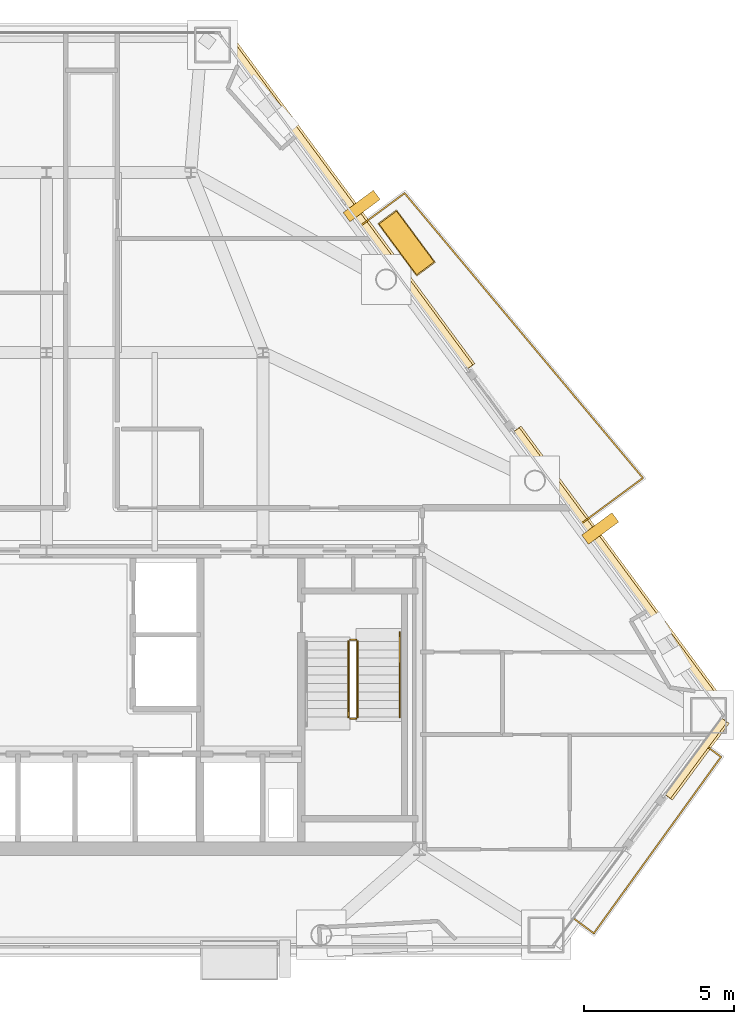
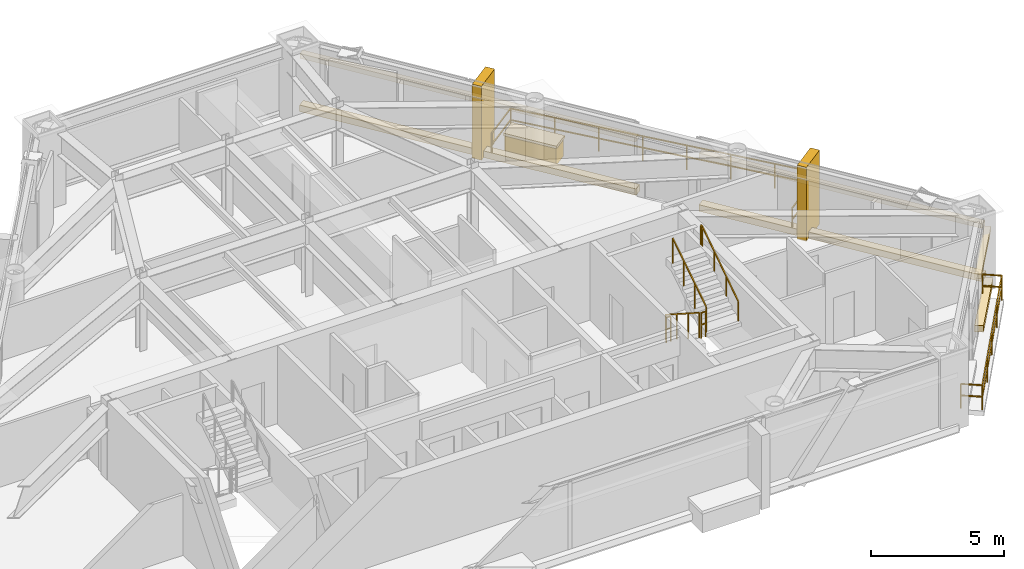
# One storey, part 11 of 11: 10 coverings, 7 railings.
"""IFC4 building model written with IfcOpenShell, lengths in metres."""

from ifc_helpers import new_model, si_unit, direction, frame, origin, origin_2d, place, context, subcontext, project, spatial, rectangle, extrude, material, layer, layer_set, type_object, element, save


model = new_model("IFC4")

# Units and contexts
model_context = context("Model", 3, precision=1e-05, world=origin(), true_north=direction((0.0, 1.0)))
body_context = subcontext(model_context, "Body", "Model", "MODEL_VIEW")
ifc_project = project(units=[si_unit("LENGTHUNIT", "METRE"), si_unit("AREAUNIT", "SQUARE_METRE"), si_unit("VOLUMEUNIT", "CUBIC_METRE"), si_unit("PLANEANGLEUNIT", "RADIAN"), si_unit("MASSUNIT", "GRAM", prefix="KILO")], contexts=[model_context])

# Site, building, storey
site_placement = place(None, origin())
site = spatial("IfcSite", under=ifc_project, at=site_placement, CompositionType="ELEMENT")
building_placement = place(site_placement, origin())
building = spatial("IfcBuilding", under=site, at=building_placement, Name="Talgorran Terracotta Tower", CompositionType="ELEMENT")
storey_placement = place(building_placement, frame((0.0, 0.0, 125.699951171875)))
storey = spatial("IfcBuildingStorey", under=building, at=storey_placement, Name="L32", CompositionType="ELEMENT", Elevation=125.699951171875)

# Coverings
ifc_material_1 = material(Name="Kiln-Fired Terracotta Ochre Ceramic", Category="masonry")
ifc_layer_1 = layer(ifc_material_1, 0.179931640625, Name="COV_BAGUETTE_TERRACOTTA_SCREEN")
ifc_layer_set_1 = layer_set([ifc_layer_1], Name="Kiln-Fired Terracotta Ochre Ceramic")
covering_type_1 = type_object("IfcCoveringType", Name="COV_BAGUETTE_TERRACOTTA_SCREEN", PredefinedType="CLADDING", material=ifc_layer_set_1)
covering_1_placement = place(storey_placement, frame((21.591796875, -11.07958984375, 2.41015625), z_axis=(0.0, 0.0, 1.0), x_axis=(0.594654414319, 0.803981422379, 0.0)))
element("IfcCovering", 1, at=covering_1_placement, inside=storey, type_object=covering_type_1, Name="L32 Terracotta Baguette Solar Screen Assembly F31", PredefinedType="CLADDING", context=body_context, shape_type="SweptSolid", body=[
    extrude(rectangle(XDim=3.15869140625, YDim=0.260009765625, at=origin_2d()), origin(), (0.0, 0.0, 1.0), 0.219970703125),
])
covering_2_placement = place(storey_placement, frame((19.075927734375, -4.842529296875, 2.41015625), z_axis=(0.0, 0.0, 1.0), x_axis=(-0.594640382106, 0.803991800934, 0.0)))
element("IfcCovering", 2, at=covering_2_placement, inside=storey, type_object=covering_type_1, Name="L32 Terracotta Baguette Solar Screen Assembly F40", PredefinedType="CLADDING", context=body_context, shape_type="SweptSolid", body=[
    extrude(rectangle(XDim=11.62060546875, YDim=0.260009765625, at=origin_2d()), origin(), (0.0, 0.0, 1.0), 0.219970703125),
])
covering_3_placement = place(storey_placement, frame((9.972412109375, 7.466064453125, 2.41015625), z_axis=(0.0, 0.0, 1.0), x_axis=(-0.594640382106, 0.803991800934, 0.0)))
element("IfcCovering", 3, at=covering_3_placement, inside=storey, type_object=covering_type_1, Name="L32 Terracotta Baguette Solar Screen Assembly F41", PredefinedType="CLADDING", context=body_context, shape_type="SweptSolid", body=[
    extrude(rectangle(XDim=13.798095703125, YDim=0.260009765625, at=origin_2d()), origin(), (0.0, 0.0, 1.0), 0.219970703125),
])
ifc_material_2 = material(Name="Honed Limestone and Terracotta Planter", Category="masonry")
ifc_layer_2 = layer(ifc_material_2, 0.1201171875, Name="COV_PLANTER_BOX")
ifc_layer_set_2 = layer_set([ifc_layer_2], Name="Honed Limestone and Terracotta Planter")
covering_type_2 = type_object("IfcCoveringType", Name="COV_PLANTER_BOX", PredefinedType="CLADDING", material=ifc_layer_set_2)
covering_4_placement = place(storey_placement, frame((11.9765625, 6.051513671875, -0.02001953125), z_axis=(0.0, 0.0, 1.0), x_axis=(-0.594640382106, 0.803991800934, 0.0)))
element("IfcCovering", 4, at=covering_4_placement, inside=storey, type_object=covering_type_2, Name="L32 Staggered Balcony Planter Box BAL-NE", PredefinedType="CLADDING", context=body_context, shape_type="SweptSolid", body=[
    extrude(rectangle(XDim=2.10009765625, YDim=0.719970703125, at=origin_2d()), origin(), (0.0, 0.0, 1.0), 0.860107421875),
])
ifc_material_3 = material(Name="Kiln-Fired Terracotta Planter Rim", Category="masonry")
ifc_layer_3 = layer(ifc_material_3, 0.10009765625, Name="COV_PLANTER_RIM")
ifc_layer_set_3 = layer_set([ifc_layer_3], Name="Kiln-Fired Terracotta Planter Rim")
covering_type_3 = type_object("IfcCoveringType", Name="COV_PLANTER_RIM", PredefinedType="CLADDING", material=ifc_layer_set_3)
covering_5_placement = place(storey_placement, frame((11.9765625, 6.051513671875, 0.800048828125), z_axis=(0.0, 0.0, 1.0), x_axis=(-0.594640382106, 0.803991800934, 0.0)))
element("IfcCovering", 5, at=covering_5_placement, inside=storey, type_object=covering_type_3, Name="L32 Balcony Planter Terracotta Rim BAL-NE", PredefinedType="CLADDING", context=body_context, shape_type="SweptSolid", body=[
    extrude(rectangle(XDim=2.179931640625, YDim=0.780029296875, at=origin_2d()), origin(), (0.0, 0.0, 1.0), 0.1201171875),
])
ifc_material_4 = material(Name="Honed Limestone Cladding", Category="masonry")
ifc_layer_4 = layer(ifc_material_4, 0.094970703125, Name="COV_PORTAL_LIME")
ifc_layer_set_4 = layer_set([ifc_layer_4], Name="Honed Limestone Cladding")
covering_type_4 = type_object("IfcCoveringType", Name="COV_PORTAL_LIME", PredefinedType="CLADDING", material=ifc_layer_set_4)
covering_6_placement = place(storey_placement, frame((21.6240234375, -11.103515625, -0.0400390625), z_axis=(0.0, 0.0, 1.0), x_axis=(0.594654414319, 0.803981422379, 0.0)))
element("IfcCovering", 6, at=covering_6_placement, inside=storey, type_object=covering_type_4, Name="L32 Striped Postmodern Portal Cladding Band F31", PredefinedType="CLADDING", context=body_context, shape_type="SweptSolid", body=[
    extrude(rectangle(XDim=3.1787109375, YDim=0.340087890625, at=origin_2d()), origin(), (0.0, 0.0, 1.0), 0.300048828125),
])
covering_7_placement = place(storey_placement, frame((19.108154296875, -4.81884765625, -0.0400390625), z_axis=(0.0, 0.0, 1.0), x_axis=(-0.594640382106, 0.803991800934, 0.0)))
element("IfcCovering", 7, at=covering_7_placement, inside=storey, type_object=covering_type_4, Name="L32 Striped Postmodern Portal Cladding Band F40", PredefinedType="CLADDING", context=body_context, shape_type="SweptSolid", body=[
    extrude(rectangle(XDim=11.640625, YDim=0.340087890625, at=origin_2d()), origin(), (0.0, 0.0, 1.0), 0.300048828125),
])
covering_8_placement = place(storey_placement, frame((10.004638671875, 7.48974609375, -0.0400390625), z_axis=(0.0, 0.0, 1.0), x_axis=(-0.594640382106, 0.803991800934, 0.0)))
element("IfcCovering", 8, at=covering_8_placement, inside=storey, type_object=covering_type_4, Name="L32 Striped Postmodern Portal Cladding Band F41", PredefinedType="CLADDING", context=body_context, shape_type="SweptSolid", body=[
    extrude(rectangle(XDim=13.818115234375, YDim=0.340087890625, at=origin_2d()), origin(), (0.0, 0.0, 1.0), 0.300048828125),
])
covering_9_placement = place(storey_placement, frame((10.483154296875, 7.280029296875, -0.0498046875), z_axis=(0.0, 0.0, 1.0), x_axis=(-0.594640382106, 0.803991800934, 0.0)))
element("IfcCovering", 9, at=covering_9_placement, inside=storey, type_object=covering_type_4, Name="L32 White Striped Portal Fin F3-2", PredefinedType="CLADDING", context=body_context, shape_type="SweptSolid", body=[
    extrude(rectangle(XDim=0.3798828125, YDim=1.25, at=origin_2d()), origin(), (0.0, 0.0, 1.0), 3.39990234375),
])
ifc_material_5 = material(Name="Kiln-Fired Terracotta Cladding", Category="masonry")
ifc_layer_5 = layer(ifc_material_5, 0.090087890625, Name="COV_PORTAL_TERRA")
ifc_layer_set_5 = layer_set([ifc_layer_5], Name="Kiln-Fired Terracotta Cladding")
covering_type_5 = type_object("IfcCoveringType", Name="COV_PORTAL_TERRA", PredefinedType="CLADDING", material=ifc_layer_set_5)
covering_10_placement = place(storey_placement, frame((18.4169921875, -3.447021484375, -0.0498046875), z_axis=(0.0, 0.0, 1.0), x_axis=(-0.594640382106, 0.803991800934, 0.0)))
element("IfcCovering", 10, at=covering_10_placement, inside=storey, type_object=covering_type_5, Name="L32 Terracotta Striped Portal Fin F3-1", PredefinedType="CLADDING", context=body_context, shape_type="SweptSolid", body=[
    extrude(rectangle(XDim=0.3798828125, YDim=1.25, at=origin_2d()), origin(), (0.0, 0.0, 1.0), 3.39990234375),
])

# Railings
ifc_material_6 = material(Name="Laminated Glass and Stainless Steel 316", Category="steel")
railing_type_1 = type_object("IfcRailingType", Name="RL_BALCONY_1150", PredefinedType="BALUSTRADE", material=ifc_material_6)
railing_1_placement = place(storey_placement, frame((17.810791015625, -3.266357421875, 0.0)))
element("IfcRailing", 11, at=railing_1_placement, inside=storey, type_object=railing_type_1, Name="RL-L32-BAL-BAL-NE", PredefinedType="BALUSTRADE", context=body_context, shape_type="SweptSolid", body=[
    extrude(rectangle(XDim=0.048095703125, YDim=0.048095703125, at=origin_2d()), frame((0.0, 0.0, 1.1259765625), z_axis=(0.803990962748, 0.594641515385, 0.0), x_axis=(-0.594641515385, 0.803990962748, 0.0)), (0.0, 0.0, 1.0), 2.521240234375),
    extrude(rectangle(XDim=0.048095703125, YDim=0.048095703125, at=origin_2d()), frame((0.0, 0.0, 0.597900390625), z_axis=(0.803990962748, 0.594641515385, 0.0), x_axis=(-0.594641515385, 0.803990962748, 0.0)), (0.0, 0.0, 1.0), 2.521240234375),
    extrude(rectangle(XDim=0.048095703125, YDim=0.048095703125, at=origin_2d()), frame((2.027099609375, 1.499267578125, 1.1259765625), z_axis=(-0.641771266299, 0.766896108839, 0.0), x_axis=(-0.766896108839, -0.641771266299, 0.0)), (0.0, 0.0, 1.0), 12.352783203125),
    extrude(rectangle(XDim=0.048095703125, YDim=0.048095703125, at=origin_2d()), frame((2.027099609375, 1.499267578125, 0.597900390625), z_axis=(-0.641771266299, 0.766896108839, 0.0), x_axis=(-0.766896108839, -0.641771266299, 0.0)), (0.0, 0.0, 1.0), 12.352783203125),
    extrude(rectangle(XDim=0.048095703125, YDim=0.048095703125, at=origin_2d()), frame((-5.900634765625, 10.97265625, 1.1259765625), z_axis=(-0.803996591581, -0.59463390479, 0.0), x_axis=(0.59463390479, -0.803996591581, 0.0)), (0.0, 0.0, 1.0), 1.78076171875),
    extrude(rectangle(XDim=0.048095703125, YDim=0.048095703125, at=origin_2d()), frame((-5.900634765625, 10.97265625, 0.597900390625), z_axis=(-0.803996591581, -0.59463390479, 0.0), x_axis=(0.59463390479, -0.803996591581, 0.0)), (0.0, 0.0, 1.0), 1.78076171875),
    extrude(rectangle(XDim=0.0419921875, YDim=0.0419921875, at=origin_2d()), origin(), (0.0, 0.0, 1.0), 1.101806640625),
    extrude(rectangle(XDim=0.0419921875, YDim=0.0419921875, at=origin_2d()), frame((1.013671875, 0.74951171875, 0.0)), (0.0, 0.0, 1.0), 1.101806640625),
    extrude(rectangle(XDim=0.0419921875, YDim=0.0419921875, at=origin_2d()), frame((2.027099609375, 1.499267578125, 0.0)), (0.0, 0.0, 1.0), 1.101806640625),
    extrude(rectangle(XDim=0.0419921875, YDim=0.0419921875, at=origin_2d()), frame((0.89453125, 2.8525390625, 0.0)), (0.0, 0.0, 1.0), 1.101806640625),
    extrude(rectangle(XDim=0.0419921875, YDim=0.0419921875, at=origin_2d()), frame((-0.238037109375, 4.2060546875, 0.0)), (0.0, 0.0, 1.0), 1.101806640625),
    extrude(rectangle(XDim=0.0419921875, YDim=0.0419921875, at=origin_2d()), frame((-1.37060546875, 5.559326171875, 0.0)), (0.0, 0.0, 1.0), 1.101806640625),
    extrude(rectangle(XDim=0.0419921875, YDim=0.0419921875, at=origin_2d()), frame((-2.5029296875, 6.91259765625, 0.0)), (0.0, 0.0, 1.0), 1.101806640625),
    extrude(rectangle(XDim=0.0419921875, YDim=0.0419921875, at=origin_2d()), frame((-3.635498046875, 8.265869140625, 0.0)), (0.0, 0.0, 1.0), 1.101806640625),
    extrude(rectangle(XDim=0.0419921875, YDim=0.0419921875, at=origin_2d()), frame((-4.76806640625, 9.619384765625, 0.0)), (0.0, 0.0, 1.0), 1.101806640625),
    extrude(rectangle(XDim=0.0419921875, YDim=0.0419921875, at=origin_2d()), frame((-5.900634765625, 10.97265625, 0.0)), (0.0, 0.0, 1.0), 1.101806640625),
    extrude(rectangle(XDim=0.0419921875, YDim=0.0419921875, at=origin_2d()), frame((-7.332275390625, 9.913818359375, 0.0)), (0.0, 0.0, 1.0), 1.101806640625),
])
railing_2_placement = place(storey_placement, frame((17.541748046875, -16.4208984375, 0.0)))
element("IfcRailing", 12, at=railing_2_placement, inside=storey, type_object=railing_type_1, Name="RL-L32-BAL-BAL-SE", PredefinedType="BALUSTRADE", context=body_context, shape_type="SweptSolid", body=[
    extrude(rectangle(XDim=0.048095703125, YDim=0.048095703125, at=origin_2d()), frame((0.0, 0.0, 1.1259765625), z_axis=(0.804034510478, -0.594582631735, 0.0), x_axis=(0.594582631735, 0.804034510478, 0.0)), (0.0, 0.0, 1.0), 0.823974609375),
    extrude(rectangle(XDim=0.048095703125, YDim=0.048095703125, at=origin_2d()), frame((0.0, 0.0, 0.597900390625), z_axis=(0.804034510478, -0.594582631735, 0.0), x_axis=(0.594582631735, 0.804034510478, 0.0)), (0.0, 0.0, 1.0), 0.823974609375),
    extrude(rectangle(XDim=0.048095703125, YDim=0.048095703125, at=origin_2d()), frame((0.66259765625, -0.489990234375, 1.1259765625), z_axis=(0.584773170404, 0.811196855995, 0.0), x_axis=(-0.811196855995, 0.584773170404, 0.0)), (0.0, 0.0, 1.0), 7.23388671875),
    extrude(rectangle(XDim=0.048095703125, YDim=0.048095703125, at=origin_2d()), frame((0.66259765625, -0.489990234375, 0.597900390625), z_axis=(0.584773170404, 0.811196855995, 0.0), x_axis=(-0.811196855995, 0.584773170404, 0.0)), (0.0, 0.0, 1.0), 7.23388671875),
    extrude(rectangle(XDim=0.048095703125, YDim=0.048095703125, at=origin_2d()), frame((4.892822265625, 5.378173828125, 1.1259765625), z_axis=(-0.803886334656, 0.594782952809, 0.0), x_axis=(-0.594782952809, -0.803886334656, 0.0)), (0.0, 0.0, 1.0), 0.735595703125),
    extrude(rectangle(XDim=0.048095703125, YDim=0.048095703125, at=origin_2d()), frame((4.892822265625, 5.378173828125, 0.597900390625), z_axis=(-0.803886334656, 0.594782952809, 0.0), x_axis=(-0.594782952809, -0.803886334656, 0.0)), (0.0, 0.0, 1.0), 0.735595703125),
    extrude(rectangle(XDim=0.0419921875, YDim=0.0419921875, at=origin_2d()), origin(), (0.0, 0.0, 1.0), 1.101806640625),
    extrude(rectangle(XDim=0.0419921875, YDim=0.0419921875, at=origin_2d()), frame((0.66259765625, -0.489990234375, 0.0)), (0.0, 0.0, 1.0), 1.101806640625),
    extrude(rectangle(XDim=0.0419921875, YDim=0.0419921875, at=origin_2d()), frame((1.72021484375, 0.97705078125, 0.0)), (0.0, 0.0, 1.0), 1.101806640625),
    extrude(rectangle(XDim=0.0419921875, YDim=0.0419921875, at=origin_2d()), frame((2.77783203125, 2.444091796875, 0.0)), (0.0, 0.0, 1.0), 1.101806640625),
    extrude(rectangle(XDim=0.0419921875, YDim=0.0419921875, at=origin_2d()), frame((3.835205078125, 3.9111328125, 0.0)), (0.0, 0.0, 1.0), 1.101806640625),
    extrude(rectangle(XDim=0.0419921875, YDim=0.0419921875, at=origin_2d()), frame((4.892822265625, 5.378173828125, 0.0)), (0.0, 0.0, 1.0), 1.101806640625),
    extrude(rectangle(XDim=0.0419921875, YDim=0.0419921875, at=origin_2d()), frame((4.301513671875, 5.815673828125, 0.0)), (0.0, 0.0, 1.0), 1.101806640625),
])
ifc_material_7 = material(Name="Steel S355 (300PLUS)", Category="steel")
railing_type_2 = type_object("IfcRailingType", Name="RL_HANDRAIL_920", PredefinedType="HANDRAIL", material=ifc_material_7)
railing_3_placement = place(storey_placement, frame((11.75, -9.719970703125, 1.97998046875)))
element("IfcRailing", 13, at=railing_3_placement, inside=storey, type_object=railing_type_2, Name="L32 ST-02 stair handrail 2", PredefinedType="HANDRAIL", context=body_context, shape_type="SweptSolid", body=[
    extrude(rectangle(XDim=0.048095703125, YDim=0.048095703125, at=origin_2d()), frame((0.0, 0.0, 0.89599609375), z_axis=(0.0, 0.832038719335, 0.554717558338), x_axis=(-1.0, 0.0, 0.0)), (0.0, 0.0, 1.0), 3.244873046875),
    extrude(rectangle(XDim=0.048095703125, YDim=0.048095703125, at=origin_2d()), frame((0.0, 2.699951171875, 2.69580078125), z_axis=(0.0, 1.0, 0.0), x_axis=(-1.0, 0.0, 0.0)), (0.0, 0.0, 1.0), 0.1201171875),
    extrude(rectangle(XDim=0.0419921875, YDim=0.0419921875, at=origin_2d()), origin(), (0.0, 0.0, 1.0), 0.871826171875),
    extrude(rectangle(XDim=0.0419921875, YDim=0.0419921875, at=origin_2d()), frame((0.0, 0.89990234375, 0.60009765625)), (0.0, 0.0, 1.0), 0.871826171875),
    extrude(rectangle(XDim=0.0419921875, YDim=0.0419921875, at=origin_2d()), frame((0.0, 1.800048828125, 1.199951171875)), (0.0, 0.0, 1.0), 0.871826171875),
    extrude(rectangle(XDim=0.0419921875, YDim=0.0419921875, at=origin_2d()), frame((0.0, 2.699951171875, 1.800048828125)), (0.0, 0.0, 1.0), 0.871826171875),
    extrude(rectangle(XDim=0.0419921875, YDim=0.0419921875, at=origin_2d()), frame((0.0, 2.820068359375, 1.800048828125)), (0.0, 0.0, 1.0), 0.871826171875),
])
railing_type_3 = type_object("IfcRailingType", Name="RL_STAIR_GUARD", PredefinedType="GUARDRAIL", material=ifc_material_7)
railing_4_placement = place(storey_placement, frame((10.050048828125, -7.199951171875, 0.179931640625)))
element("IfcRailing", 14, at=railing_4_placement, inside=storey, type_object=railing_type_3, Name="L32 ST-02 stair guard 1", PredefinedType="GUARDRAIL", context=body_context, shape_type="SweptSolid", body=[
    extrude(rectangle(XDim=0.048095703125, YDim=0.048095703125, at=origin_2d()), frame((0.0, 0.0, 1.15576171875), z_axis=(0.0, -0.841162588446, 0.540782303519), x_axis=(1.0, 0.0, 0.0)), (0.0, 0.0, 1.0), 2.995849609375),
    extrude(rectangle(XDim=0.0419921875, YDim=0.0419921875, at=origin_2d()), origin(), (0.0, 0.0, 1.0), 1.1318359375),
    extrude(rectangle(XDim=0.0419921875, YDim=0.0419921875, at=origin_2d()), frame((0.0, -0.840087890625, 0.5400390625)), (0.0, 0.0, 1.0), 1.1318359375),
    extrude(rectangle(XDim=0.0419921875, YDim=0.0419921875, at=origin_2d()), frame((0.0, -1.679931640625, 1.080078125)), (0.0, 0.0, 1.0), 1.1318359375),
    extrude(rectangle(XDim=0.0419921875, YDim=0.0419921875, at=origin_2d()), frame((0.0, -2.52001953125, 1.6201171875)), (0.0, 0.0, 1.0), 1.1318359375),
])
railing_5_placement = place(storey_placement, frame((10.10009765625, -9.77001953125, 1.800048828125)))
element("IfcRailing", 15, at=railing_5_placement, inside=storey, type_object=railing_type_3, Name="L32 ST-02 stair guard 2", PredefinedType="GUARDRAIL", context=body_context, shape_type="SweptSolid", body=[
    extrude(rectangle(XDim=0.048095703125, YDim=0.048095703125, at=origin_2d()), frame((0.0, 0.0, 1.15576171875), z_axis=(1.0, 0.0, 0.0), x_axis=(0.0, 1.0, 0.0)), (0.0, 0.0, 1.0), 0.199951171875),
    extrude(rectangle(XDim=0.048095703125, YDim=0.048095703125, at=origin_2d()), frame((0.0, 0.0, 0.613525390625), z_axis=(1.0, 0.0, 0.0), x_axis=(0.0, 1.0, 0.0)), (0.0, 0.0, 1.0), 0.199951171875),
    extrude(rectangle(XDim=0.0419921875, YDim=0.0419921875, at=origin_2d()), origin(), (0.0, 0.0, 1.0), 1.1318359375),
    extrude(rectangle(XDim=0.0419921875, YDim=0.0419921875, at=origin_2d()), frame((0.199951171875, 0.0, 0.0)), (0.0, 0.0, 1.0), 1.1318359375),
])
railing_6_placement = place(storey_placement, frame((10.35009765625, -9.719970703125, 1.97998046875)))
element("IfcRailing", 16, at=railing_6_placement, inside=storey, type_object=railing_type_3, Name="L32 ST-02 stair guard 3", PredefinedType="GUARDRAIL", context=body_context, shape_type="SweptSolid", body=[
    extrude(rectangle(XDim=0.048095703125, YDim=0.048095703125, at=origin_2d()), frame((0.0, 0.0, 1.15576171875), z_axis=(0.0, 0.841162588446, 0.540782303519), x_axis=(-1.0, 0.0, 0.0)), (0.0, 0.0, 1.0), 2.995849609375),
    extrude(rectangle(XDim=0.0419921875, YDim=0.0419921875, at=origin_2d()), origin(), (0.0, 0.0, 1.0), 1.1318359375),
    extrude(rectangle(XDim=0.0419921875, YDim=0.0419921875, at=origin_2d()), frame((0.0, 0.840087890625, 0.5400390625)), (0.0, 0.0, 1.0), 1.1318359375),
    extrude(rectangle(XDim=0.0419921875, YDim=0.0419921875, at=origin_2d()), frame((0.0, 1.679931640625, 1.080078125)), (0.0, 0.0, 1.0), 1.1318359375),
    extrude(rectangle(XDim=0.0419921875, YDim=0.0419921875, at=origin_2d()), frame((0.0, 2.52001953125, 1.6201171875)), (0.0, 0.0, 1.0), 1.1318359375),
])
railing_7_placement = place(storey_placement, frame((10.10009765625, -7.14990234375, 0.0)))
element("IfcRailing", 17, at=railing_7_placement, inside=storey, type_object=railing_type_3, Name="L32 ST-02 stair guard 4", PredefinedType="GUARDRAIL", context=body_context, shape_type="SweptSolid", body=[
    extrude(rectangle(XDim=0.048095703125, YDim=0.048095703125, at=origin_2d()), frame((0.0, 0.0, 1.15576171875), z_axis=(1.0, 0.0, 0.0), x_axis=(0.0, 1.0, 0.0)), (0.0, 0.0, 1.0), 0.199951171875),
    extrude(rectangle(XDim=0.048095703125, YDim=0.048095703125, at=origin_2d()), frame((0.0, 0.0, 0.613525390625), z_axis=(1.0, 0.0, 0.0), x_axis=(0.0, 1.0, 0.0)), (0.0, 0.0, 1.0), 0.199951171875),
    extrude(rectangle(XDim=0.0419921875, YDim=0.0419921875, at=origin_2d()), origin(), (0.0, 0.0, 1.0), 1.1318359375),
    extrude(rectangle(XDim=0.0419921875, YDim=0.0419921875, at=origin_2d()), frame((0.199951171875, 0.0, 0.0)), (0.0, 0.0, 1.0), 1.1318359375),
])

save(model, "model.ifc")
